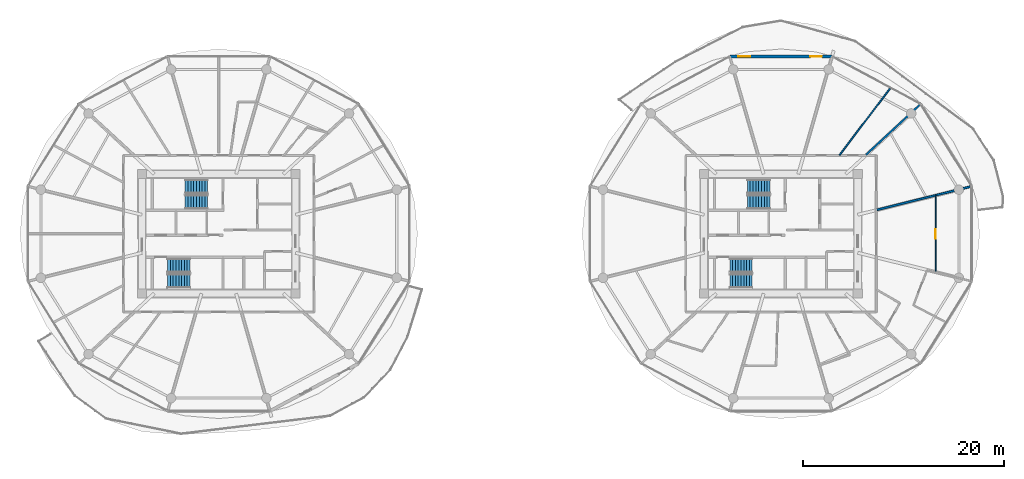
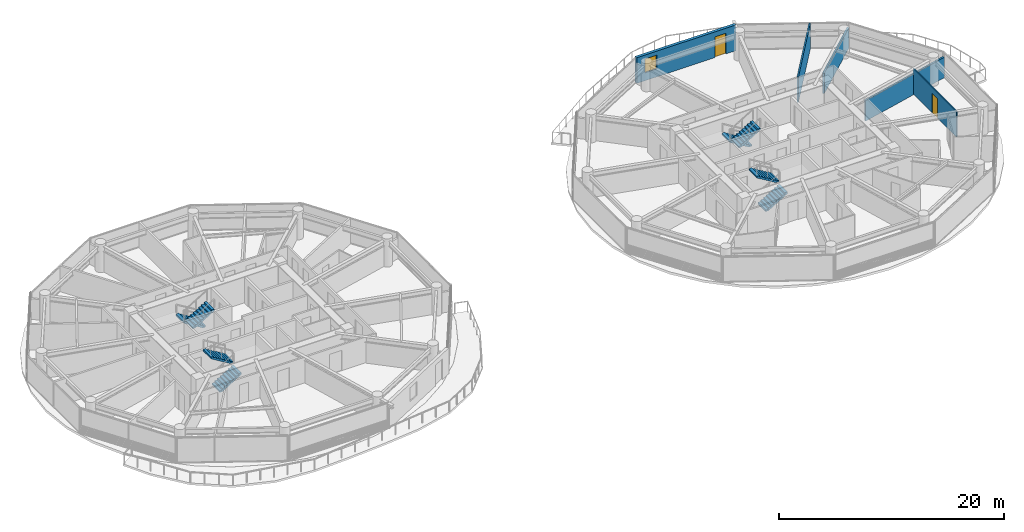
# One storey, part 20 of 26: 8 stair flights, 5 walls, 2 doors, 1 window, 3 openings, 4 elements without a shape of their own.
"""IFC4 building model written with IfcOpenShell, lengths in metres."""

from ifc_helpers import new_model, si_unit, direction, frame, frame_2d, origin, place, context, subcontext, project, spatial, polyline, rectangle, outline, extrude, source, transform, mapped, material, layer, layer_set, type_object, type_shapes, element, fill, aggregate, save


model = new_model("IFC4")

# Units and contexts
model_context = context("Model", 3, precision=1e-05, world=origin(), true_north=direction((0.0, 1.0)))
body_context = subcontext(model_context, "Body", "Model", "MODEL_VIEW")
ifc_project = project(units=[si_unit("LENGTHUNIT", "METRE"), si_unit("AREAUNIT", "SQUARE_METRE"), si_unit("VOLUMEUNIT", "CUBIC_METRE"), si_unit("PLANEANGLEUNIT", "RADIAN"), si_unit("MASSUNIT", "GRAM", prefix="KILO")], contexts=[model_context])

# Site, building, storey
site_placement = place(None, origin())
site = spatial("IfcSite", under=ifc_project, at=site_placement, CompositionType="ELEMENT")
building_placement = place(site_placement, origin())
building = spatial("IfcBuilding", under=site, at=building_placement, Name="Norrkilde Senior Care Towers", CompositionType="ELEMENT")
storey_placement = place(building_placement, frame((0.0, 0.0, 55.14990234375)))
storey = spatial("IfcBuildingStorey", under=building, at=storey_placement, Name="L16", CompositionType="ELEMENT", Elevation=55.14990234375)

# Wall, openings, door, window
ifc_material_1 = material(Name="Precast concrete C45/55", Category="concrete")
ifc_layer_1 = layer(ifc_material_1, 0.2900390625)
ifc_layer_set_1 = layer_set([ifc_layer_1], Name="Precast concrete C45/55")
wall_type_1 = type_object("IfcWallType", Name="Winter Garden Facade Wall 290", PredefinedType="SOLIDWALL", material=ifc_layer_set_1)
shared_shape_1 = source(origin(), body_context, "Body", "SweptSolid", [
    extrude(rectangle(XDim=10.18701171875, YDim=0.2900390625, at=frame_2d((5.093505859375, 0.0))), origin(), (0.0, 0.0, 1.0), 2.7900390625),
])
type_shapes(wall_type_1, [shared_shape_1])
wall_1_placement = place(storey_placement, frame((22.906494140625, 17.6572265625, 0.0), z_axis=(0.0, 0.0, 1.0), x_axis=(1.0, 0.0, 0.0)))
wall_1 = element("IfcWall", 1, at=wall_1_placement, inside=storey, type_object=wall_type_1, Name="L16 Drum E Balcony Access Wall 02", PredefinedType="SOLIDWALL", context=body_context, shape_type="MappedRepresentation", body=[
    mapped(shared_shape_1, transform((0.0, 0.0, 0.0), x_axis=(1.0, 0.0, 0.0), y_axis=(0.0, 1.0, 0.0), z_axis=(0.0, 0.0, 1.0), scale=1.0)),
])
opening_1_placement = place(wall_1_placement, frame((8.02001953125, 0.0, 0.0)))
opening_1 = element("IfcOpeningElement", 2, at=opening_1_placement, cuts=wall_1, Name="Opening D-09", PredefinedType="OPENING", context=body_context, shape_type="SweptSolid", body=[
    extrude(rectangle(XDim=1.14990234375, YDim=2.25, at=frame_2d((0.574951171875, 1.125))), frame((0.0, 0.155029296875, 0.0), z_axis=(0.0, -1.0, 0.0), x_axis=(1.0, 0.0, 0.0)), (0.0, 0.0, 1.0), 0.31005859375),
])
opening_2_placement = place(wall_1_placement, frame((0.85009765625, 0.0, 0.85009765625)))
opening_2 = element("IfcOpeningElement", 3, at=opening_2_placement, cuts=wall_1, Name="Opening WN-07", PredefinedType="OPENING", context=body_context, shape_type="SweptSolid", body=[
    extrude(rectangle(XDim=1.199951171875, YDim=1.5, at=frame_2d((0.60009765625, 0.75))), frame((0.0, 0.155029296875, 0.0), z_axis=(0.0, -1.0, 0.0), x_axis=(1.0, 0.0, 0.0)), (0.0, 0.0, 1.0), 0.31005859375),
])
ifc_material_2 = material(Name="Anodised Aluminium", Category="aluminium")
door_type_1 = type_object("IfcDoorType", Name="Terrace and Balcony Glazed Door 1150x2250", OperationType="NOTDEFINED", PredefinedType="DOOR", material=ifc_material_2)
shared_shape_2 = source(origin(), body_context, "Body", "SweptSolid", [
    extrude(rectangle(XDim=1.14990234375, YDim=2.25, at=frame_2d((0.574951171875, 1.125))), frame((0.0, 0.02490234375, 0.0), z_axis=(0.0, -1.0, 0.0), x_axis=(1.0, 0.0, 0.0)), (0.0, 0.0, 1.0), 0.050048828125),
])
type_shapes(door_type_1, [shared_shape_2])
door_1_placement = place(opening_1_placement, origin())
door_1 = element("IfcDoor", 4, at=door_1_placement, inside=storey, type_object=door_type_1, Name="L16 Drum E Outdoor Terrace Door 02", OperationType="SINGLE_SWING_LEFT", OverallHeight=2.25, OverallWidth=1.14990234375, PredefinedType="DOOR", context=body_context, shape_type="MappedRepresentation", body=[
    mapped(shared_shape_2, transform((0.0, 0.0, 0.0), x_axis=(1.0, 0.0, 0.0), y_axis=(0.0, 1.0, 0.0), z_axis=(0.0, 0.0, 1.0), scale=1.0)),
])
fill(opening_1, door_1)
ifc_material_3 = material(Name="Triple Low-E Insulated Glazing", Category="glass")
window_type = type_object("IfcWindowType", Name="Stairwell Smoke Vent Window 1200x1500", PartitioningType="SINGLE_PANEL", PredefinedType="WINDOW", material=ifc_material_3)
shared_shape_3 = source(origin(), body_context, "Body", "SweptSolid", [
    extrude(rectangle(XDim=1.199951171875, YDim=1.5, at=frame_2d((0.60009765625, 0.75))), frame((0.0, 0.030029296875, 0.0), z_axis=(0.0, -1.0, 0.0), x_axis=(1.0, 0.0, 0.0)), (0.0, 0.0, 1.0), 0.06005859375),
])
type_shapes(window_type, [shared_shape_3])
window_placement = place(opening_2_placement, origin())
window = element("IfcWindow", 5, at=window_placement, inside=storey, type_object=window_type, Name="L16 Drum E Winter Garden Window 02", OverallHeight=1.5, OverallWidth=1.199951171875, PartitioningType="SINGLE_PANEL", PredefinedType="WINDOW", context=body_context, shape_type="MappedRepresentation", body=[
    mapped(shared_shape_3, transform((0.0, 0.0, 0.0), x_axis=(1.0, 0.0, 0.0), y_axis=(0.0, 1.0, 0.0), z_axis=(0.0, 0.0, 1.0), scale=1.0)),
])
fill(opening_2, window)

# Walls
ifc_material_4 = material(Name="Gypsum Acoustic Board")
ifc_layer_2 = layer(ifc_material_4, 0.18994140625)
ifc_layer_set_2 = layer_set([ifc_layer_2], Name="Gypsum Acoustic Board")
wall_type_2 = type_object("IfcWallType", Name="Unit Demising Acoustic Wall 190", PredefinedType="PARTITIONING", material=ifc_layer_set_2)
shared_shape_4 = source(origin(), body_context, "Body", "SweptSolid", [
    extrude(rectangle(XDim=7.4345703125, YDim=0.18994140625, at=frame_2d((3.71728515625, 0.0))), origin(), (0.0, 0.0, 1.0), 2.22509765625),
])
wall_2_placement = place(storey_placement, frame((36.48291015625, 7.8798828125, 0.0), z_axis=(0.0, 0.0, 1.0), x_axis=(0.732651956848, 0.680603489652, 0.0)))
element("IfcWall", 6, at=wall_2_placement, inside=storey, type_object=wall_type_2, Name="WL-INT-L16-E-DEM-01-0", PredefinedType="PARTITIONING", context=body_context, shape_type="MappedRepresentation", body=[
    mapped(shared_shape_4, transform((0.0, 0.0, 0.0), x_axis=(1.0, 0.0, 0.0), y_axis=(0.0, 1.0, 0.0), z_axis=(0.0, 0.0, 1.0), scale=1.0)),
])
shared_shape_5 = source(origin(), body_context, "Body", "SweptSolid", [
    extrude(rectangle(XDim=9.737060546875, YDim=0.18994140625, at=frame_2d((4.86865234375, 0.0))), origin(), (0.0, 0.0, 1.0), 2.22509765625),
])
type_shapes(wall_type_2, [shared_shape_4, shared_shape_5])
wall_3_placement = place(storey_placement, frame((37.580078125, 2.384521484375, 0.0), z_axis=(0.0, 0.0, 1.0), x_axis=(0.970392716238, 0.241532557375, 0.0)))
element("IfcWall", 7, at=wall_3_placement, inside=storey, type_object=wall_type_2, Name="WL-INT-L16-E-DEM-00-0", PredefinedType="PARTITIONING", context=body_context, shape_type="MappedRepresentation", body=[
    mapped(shared_shape_5, transform((0.0, 0.0, 0.0), x_axis=(1.0, 0.0, 0.0), y_axis=(0.0, 1.0, 0.0), z_axis=(0.0, 0.0, 1.0), scale=1.0)),
])

# Wall, opening, door
ifc_layer_3 = layer(ifc_material_4, 0.114990234375)
ifc_layer_set_3 = layer_set([ifc_layer_3], Name="Gypsum Acoustic Board")
wall_type_3 = type_object("IfcWallType", Name="Internal Room Partition 115", PredefinedType="PARTITIONING", material=ifc_layer_set_3)
shared_shape_6 = source(origin(), body_context, "Body", "SweptSolid", [
    extrude(rectangle(XDim=7.70947265625, YDim=0.114990234375, at=frame_2d((3.854736328125, 0.0))), origin(), (0.0, 0.0, 1.0), 2.775146484375),
])
type_shapes(wall_type_3, [shared_shape_6])
wall_4_placement = place(storey_placement, frame((43.40625, -3.854736328125, 0.0), z_axis=(0.0, 0.0, 1.0), x_axis=(0.0, 1.0, 0.0)))
wall_4 = element("IfcWall", 8, at=wall_4_placement, inside=storey, type_object=wall_type_3, Name="WL-INT-L16-E-UBC-10-1", PredefinedType="PARTITIONING", context=body_context, shape_type="MappedRepresentation", body=[
    mapped(shared_shape_6, transform((0.0, 0.0, 0.0), x_axis=(1.0, 0.0, 0.0), y_axis=(0.0, 1.0, 0.0), z_axis=(0.0, 0.0, 1.0), scale=1.0)),
])
opening_3_placement = place(wall_4_placement, frame((3.379638671875, 0.0, 0.0)))
opening_3 = element("IfcOpeningElement", 9, at=opening_3_placement, cuts=wall_4, Name="Opening D-07", PredefinedType="OPENING", context=body_context, shape_type="SweptSolid", body=[
    extrude(rectangle(XDim=0.949951171875, YDim=2.10009765625, at=frame_2d((0.47509765625, 1.050048828125))), frame((0.0, 0.0673828125, 0.0), z_axis=(0.0, -1.0, 0.0), x_axis=(1.0, 0.0, 0.0)), (0.0, 0.0, 1.0), 0.135009765625),
])
ifc_material_5 = material(Name="Nordic Ash Timber", Category="wood")
door_type_2 = type_object("IfcDoorType", Name="Internal Suite Bedroom Door 950x2100", OperationType="NOTDEFINED", PredefinedType="DOOR", material=ifc_material_5)
shared_shape_7 = source(origin(), body_context, "Body", "SweptSolid", [
    extrude(rectangle(XDim=0.949951171875, YDim=2.10009765625, at=frame_2d((0.47509765625, 1.050048828125))), frame((0.0, 0.02490234375, 0.0), z_axis=(0.0, -1.0, 0.0), x_axis=(1.0, 0.0, 0.0)), (0.0, 0.0, 1.0), 0.050048828125),
])
type_shapes(door_type_2, [shared_shape_7])
door_2_placement = place(opening_3_placement, origin())
door_2 = element("IfcDoor", 10, at=door_2_placement, inside=storey, type_object=door_type_2, Name="Apartment 16G Bedroom 1 Door", OperationType="SINGLE_SWING_RIGHT", OverallHeight=2.10009765625, OverallWidth=0.949951171875, PredefinedType="DOOR", context=body_context, shape_type="MappedRepresentation", body=[
    mapped(shared_shape_7, transform((0.0, 0.0, 0.0), x_axis=(1.0, 0.0, 0.0), y_axis=(0.0, 1.0, 0.0), z_axis=(0.0, 0.0, 1.0), scale=1.0)),
])
fill(opening_3, door_2)

# Wall
ifc_layer_4 = layer(ifc_material_4, 0.139892578125)
ifc_layer_set_4 = layer_set([ifc_layer_4], Name="Gypsum Acoustic Board")
wall_type_4 = type_object("IfcWallType", Name="En-suite Wet Room Wall 140", PredefinedType="PARTITIONING", material=ifc_layer_set_4)
shared_shape_8 = source(origin(), body_context, "Body", "SweptSolid", [
    extrude(rectangle(XDim=8.436279296875, YDim=0.139892578125, at=frame_2d((4.21826171875, 0.0))), origin(), (0.0, 0.0, 1.0), 2.775146484375),
])
type_shapes(wall_type_4, [shared_shape_8])
wall_5_placement = place(storey_placement, frame((33.827880859375, 7.830078125, 0.0), z_axis=(0.0, 0.0, 1.0), x_axis=(0.604486552388, 0.796615345058, 0.0)))
element("IfcWall", 11, at=wall_5_placement, inside=storey, type_object=wall_type_4, Name="WL-INT-L16-E-MID-01", PredefinedType="PARTITIONING", context=body_context, shape_type="MappedRepresentation", body=[
    mapped(shared_shape_8, transform((0.0, 0.0, 0.0), x_axis=(1.0, 0.0, 0.0), y_axis=(0.0, 1.0, 0.0), z_axis=(0.0, 0.0, 1.0), scale=1.0)),
])

# Stair, stair flights
ifc_material_6 = material(Name="Concrete C45/55", Category="concrete")
stair_type = type_object("IfcStairType", Name="Core Protected Dogleg Stair Typical 3050", PredefinedType="HALF_TURN_STAIR", material=ifc_material_6)
stair_1_placement = place(storey_placement, origin())
stair_1 = element("IfcStair", 12, at=stair_1_placement, inside=storey, type_object=stair_type, Name="L16 Protected Core Stair W1", PredefinedType="HALF_TURN_STAIR")
stair_flight_type = type_object("IfcStairFlightType", Name="Core Protected Dogleg Stair Typical 3050 Flight", PredefinedType="STRAIGHT", material=ifc_material_6)
stair_flight_1_placement = place(storey_placement, frame((-29.10009765625, 4.699951171875, 0.0), z_axis=(0.0, 0.0, 1.0), x_axis=(-1.0, 0.0, 0.0)))
stair_flight_1 = element("IfcStairFlight", 13, at=stair_flight_1_placement, type_object=stair_flight_type, Name="ST-W1 flight 1", NumberOfRisers=9, NumberOfTreads=8, PredefinedType="STRAIGHT", RiserHeight=0.169444444, TreadLength=0.28, context=body_context, shape_type="SweptSolid", body=[
    extrude(outline(polyline([(0.0, 0.0), (0.0, 0.16943359375), (0.280029296875, 0.16943359375), (0.280029296875, 0.3388671875), (0.56005859375, 0.3388671875), (0.56005859375, 0.50830078125), (0.840087890625, 0.50830078125), (0.840087890625, 0.677734375), (1.1201171875, 0.677734375), (1.1201171875, 0.84716796875), (1.39990234375, 0.84716796875), (1.39990234375, 1.0166015625), (1.679931640625, 1.0166015625), (1.679931640625, 1.18603515625), (1.9599609375, 1.18603515625), (1.9599609375, 1.35546875), (2.239990234375, 1.35546875), (2.239990234375, 1.52490234375), (2.239990234375, 1.180419921875), (0.28955078125, 0.0), (0.0, 0.0)])), frame((0.0, 0.699951171875, 0.0), z_axis=(0.0, -1.0, 0.0), x_axis=(1.0, 0.0, 0.0)), (0.0, 0.0, 1.0), 1.39990234375),
])
stair_flight_2_placement = place(storey_placement, frame((-31.340087890625, 3.14990234375, 1.525146484375), z_axis=(0.0, 0.0, 1.0), x_axis=(1.0, 0.0, 0.0)))
stair_flight_2 = element("IfcStairFlight", 14, at=stair_flight_2_placement, type_object=stair_flight_type, Name="ST-W1 flight 2", NumberOfRisers=9, NumberOfTreads=8, PredefinedType="STRAIGHT", RiserHeight=0.169444444, TreadLength=0.28, context=body_context, shape_type="SweptSolid", body=[
    extrude(outline(polyline([(0.0, 0.0), (0.0, 0.16943359375), (0.280029296875, 0.16943359375), (0.280029296875, 0.3388671875), (0.56005859375, 0.3388671875), (0.56005859375, 0.50830078125), (0.840087890625, 0.50830078125), (0.840087890625, 0.677734375), (1.1201171875, 0.677734375), (1.1201171875, 0.84716796875), (1.39990234375, 0.84716796875), (1.39990234375, 1.0166015625), (1.679931640625, 1.0166015625), (1.679931640625, 1.18603515625), (1.9599609375, 1.18603515625), (1.9599609375, 1.35546875), (2.239990234375, 1.35546875), (2.239990234375, 1.52490234375), (2.239990234375, 1.180419921875), (0.28955078125, 0.0), (0.0, 0.0)])), frame((0.0, 0.699951171875, 0.0), z_axis=(0.0, -1.0, 0.0), x_axis=(1.0, 0.0, 0.0)), (0.0, 0.0, 1.0), 1.39990234375),
])
aggregate(stair_1, [stair_flight_1, stair_flight_2])

stair_2_placement = place(storey_placement, origin())
stair_2 = element("IfcStair", 15, at=stair_2_placement, inside=storey, type_object=stair_type, Name="L16 Protected Core Stair W2", PredefinedType="HALF_TURN_STAIR")
stair_flight_3_placement = place(storey_placement, frame((-33.10009765625, -4.699951171875, 0.0), z_axis=(0.0, 0.0, 1.0), x_axis=(1.0, 0.0, 0.0)))
stair_flight_3 = element("IfcStairFlight", 16, at=stair_flight_3_placement, type_object=stair_flight_type, Name="ST-W2 flight 1", NumberOfRisers=9, NumberOfTreads=8, PredefinedType="STRAIGHT", RiserHeight=0.169444444, TreadLength=0.28, context=body_context, shape_type="SweptSolid", body=[
    extrude(outline(polyline([(0.0, 0.0), (0.0, 0.16943359375), (0.280029296875, 0.16943359375), (0.280029296875, 0.3388671875), (0.56005859375, 0.3388671875), (0.56005859375, 0.50830078125), (0.840087890625, 0.50830078125), (0.840087890625, 0.677734375), (1.1201171875, 0.677734375), (1.1201171875, 0.84716796875), (1.39990234375, 0.84716796875), (1.39990234375, 1.0166015625), (1.679931640625, 1.0166015625), (1.679931640625, 1.18603515625), (1.9599609375, 1.18603515625), (1.9599609375, 1.35546875), (2.239990234375, 1.35546875), (2.239990234375, 1.52490234375), (2.239990234375, 1.180419921875), (0.28955078125, 0.0), (0.0, 0.0)])), frame((0.0, 0.699951171875, 0.0), z_axis=(0.0, -1.0, 0.0), x_axis=(1.0, 0.0, 0.0)), (0.0, 0.0, 1.0), 1.39990234375),
])
stair_flight_4_placement = place(storey_placement, frame((-30.860107421875, -3.14990234375, 1.525146484375), z_axis=(0.0, 0.0, 1.0), x_axis=(-1.0, 0.0, 0.0)))
stair_flight_4 = element("IfcStairFlight", 17, at=stair_flight_4_placement, type_object=stair_flight_type, Name="ST-W2 flight 2", NumberOfRisers=9, NumberOfTreads=8, PredefinedType="STRAIGHT", RiserHeight=0.169444444, TreadLength=0.28, context=body_context, shape_type="SweptSolid", body=[
    extrude(outline(polyline([(0.0, 0.0), (0.0, 0.16943359375), (0.280029296875, 0.16943359375), (0.280029296875, 0.3388671875), (0.56005859375, 0.3388671875), (0.56005859375, 0.50830078125), (0.840087890625, 0.50830078125), (0.840087890625, 0.677734375), (1.1201171875, 0.677734375), (1.1201171875, 0.84716796875), (1.39990234375, 0.84716796875), (1.39990234375, 1.0166015625), (1.679931640625, 1.0166015625), (1.679931640625, 1.18603515625), (1.9599609375, 1.18603515625), (1.9599609375, 1.35546875), (2.239990234375, 1.35546875), (2.239990234375, 1.52490234375), (2.239990234375, 1.180419921875), (0.28955078125, 0.0), (0.0, 0.0)])), frame((0.0, 0.699951171875, 0.0), z_axis=(0.0, -1.0, 0.0), x_axis=(1.0, 0.0, 0.0)), (0.0, 0.0, 1.0), 1.39990234375),
])
aggregate(stair_2, [stair_flight_3, stair_flight_4])

stair_3_placement = place(storey_placement, origin())
stair_3 = element("IfcStair", 18, at=stair_3_placement, inside=storey, type_object=stair_type, Name="L16 Protected Core Stair E1", PredefinedType="HALF_TURN_STAIR")
stair_flight_5_placement = place(storey_placement, frame((26.89990234375, 4.699951171875, 0.0), z_axis=(0.0, 0.0, 1.0), x_axis=(-1.0, 0.0, 0.0)))
stair_flight_5 = element("IfcStairFlight", 19, at=stair_flight_5_placement, type_object=stair_flight_type, Name="ST-E1 flight 1", NumberOfRisers=9, NumberOfTreads=8, PredefinedType="STRAIGHT", RiserHeight=0.169444444, TreadLength=0.28, context=body_context, shape_type="SweptSolid", body=[
    extrude(outline(polyline([(0.0, 0.0), (0.0, 0.16943359375), (0.280029296875, 0.16943359375), (0.280029296875, 0.3388671875), (0.56005859375, 0.3388671875), (0.56005859375, 0.50830078125), (0.840087890625, 0.50830078125), (0.840087890625, 0.677734375), (1.1201171875, 0.677734375), (1.1201171875, 0.84716796875), (1.39990234375, 0.84716796875), (1.39990234375, 1.0166015625), (1.679931640625, 1.0166015625), (1.679931640625, 1.18603515625), (1.9599609375, 1.18603515625), (1.9599609375, 1.35546875), (2.239990234375, 1.35546875), (2.239990234375, 1.52490234375), (2.239990234375, 1.180419921875), (0.28955078125, 0.0), (0.0, 0.0)])), frame((0.0, 0.699951171875, 0.0), z_axis=(0.0, -1.0, 0.0), x_axis=(1.0, 0.0, 0.0)), (0.0, 0.0, 1.0), 1.39990234375),
])
stair_flight_6_placement = place(storey_placement, frame((24.659912109375, 3.14990234375, 1.525146484375), z_axis=(0.0, 0.0, 1.0), x_axis=(1.0, 0.0, 0.0)))
stair_flight_6 = element("IfcStairFlight", 20, at=stair_flight_6_placement, type_object=stair_flight_type, Name="ST-E1 flight 2", NumberOfRisers=9, NumberOfTreads=8, PredefinedType="STRAIGHT", RiserHeight=0.169444444, TreadLength=0.28, context=body_context, shape_type="SweptSolid", body=[
    extrude(outline(polyline([(0.0, 0.0), (0.0, 0.16943359375), (0.280029296875, 0.16943359375), (0.280029296875, 0.3388671875), (0.56005859375, 0.3388671875), (0.56005859375, 0.50830078125), (0.840087890625, 0.50830078125), (0.840087890625, 0.677734375), (1.1201171875, 0.677734375), (1.1201171875, 0.84716796875), (1.39990234375, 0.84716796875), (1.39990234375, 1.0166015625), (1.679931640625, 1.0166015625), (1.679931640625, 1.18603515625), (1.9599609375, 1.18603515625), (1.9599609375, 1.35546875), (2.239990234375, 1.35546875), (2.239990234375, 1.52490234375), (2.239990234375, 1.180419921875), (0.28955078125, 0.0), (0.0, 0.0)])), frame((0.0, 0.699951171875, 0.0), z_axis=(0.0, -1.0, 0.0), x_axis=(1.0, 0.0, 0.0)), (0.0, 0.0, 1.0), 1.39990234375),
])
aggregate(stair_3, [stair_flight_5, stair_flight_6])

stair_4_placement = place(storey_placement, origin())
stair_4 = element("IfcStair", 21, at=stair_4_placement, inside=storey, type_object=stair_type, Name="L16 Protected Core Stair E2", PredefinedType="HALF_TURN_STAIR")
stair_flight_7_placement = place(storey_placement, frame((22.89990234375, -4.699951171875, 0.0), z_axis=(0.0, 0.0, 1.0), x_axis=(1.0, 0.0, 0.0)))
stair_flight_7 = element("IfcStairFlight", 22, at=stair_flight_7_placement, type_object=stair_flight_type, Name="ST-E2 flight 1", NumberOfRisers=9, NumberOfTreads=8, PredefinedType="STRAIGHT", RiserHeight=0.169444444, TreadLength=0.28, context=body_context, shape_type="SweptSolid", body=[
    extrude(outline(polyline([(0.0, 0.0), (0.0, 0.16943359375), (0.280029296875, 0.16943359375), (0.280029296875, 0.3388671875), (0.56005859375, 0.3388671875), (0.56005859375, 0.50830078125), (0.840087890625, 0.50830078125), (0.840087890625, 0.677734375), (1.1201171875, 0.677734375), (1.1201171875, 0.84716796875), (1.39990234375, 0.84716796875), (1.39990234375, 1.0166015625), (1.679931640625, 1.0166015625), (1.679931640625, 1.18603515625), (1.9599609375, 1.18603515625), (1.9599609375, 1.35546875), (2.239990234375, 1.35546875), (2.239990234375, 1.52490234375), (2.239990234375, 1.180419921875), (0.28955078125, 0.0), (0.0, 0.0)])), frame((0.0, 0.699951171875, 0.0), z_axis=(0.0, -1.0, 0.0), x_axis=(1.0, 0.0, 0.0)), (0.0, 0.0, 1.0), 1.39990234375),
])
stair_flight_8_placement = place(storey_placement, frame((25.139892578125, -3.14990234375, 1.525146484375), z_axis=(0.0, 0.0, 1.0), x_axis=(-1.0, 0.0, 0.0)))
stair_flight_8 = element("IfcStairFlight", 23, at=stair_flight_8_placement, type_object=stair_flight_type, Name="ST-E2 flight 2", NumberOfRisers=9, NumberOfTreads=8, PredefinedType="STRAIGHT", RiserHeight=0.169444444, TreadLength=0.28, context=body_context, shape_type="SweptSolid", body=[
    extrude(outline(polyline([(0.0, 0.0), (0.0, 0.16943359375), (0.280029296875, 0.16943359375), (0.280029296875, 0.3388671875), (0.56005859375, 0.3388671875), (0.56005859375, 0.50830078125), (0.840087890625, 0.50830078125), (0.840087890625, 0.677734375), (1.1201171875, 0.677734375), (1.1201171875, 0.84716796875), (1.39990234375, 0.84716796875), (1.39990234375, 1.0166015625), (1.679931640625, 1.0166015625), (1.679931640625, 1.18603515625), (1.9599609375, 1.18603515625), (1.9599609375, 1.35546875), (2.239990234375, 1.35546875), (2.239990234375, 1.52490234375), (2.239990234375, 1.180419921875), (0.28955078125, 0.0), (0.0, 0.0)])), frame((0.0, 0.699951171875, 0.0), z_axis=(0.0, -1.0, 0.0), x_axis=(1.0, 0.0, 0.0)), (0.0, 0.0, 1.0), 1.39990234375),
])
aggregate(stair_4, [stair_flight_7, stair_flight_8])

save(model, "model.ifc")
